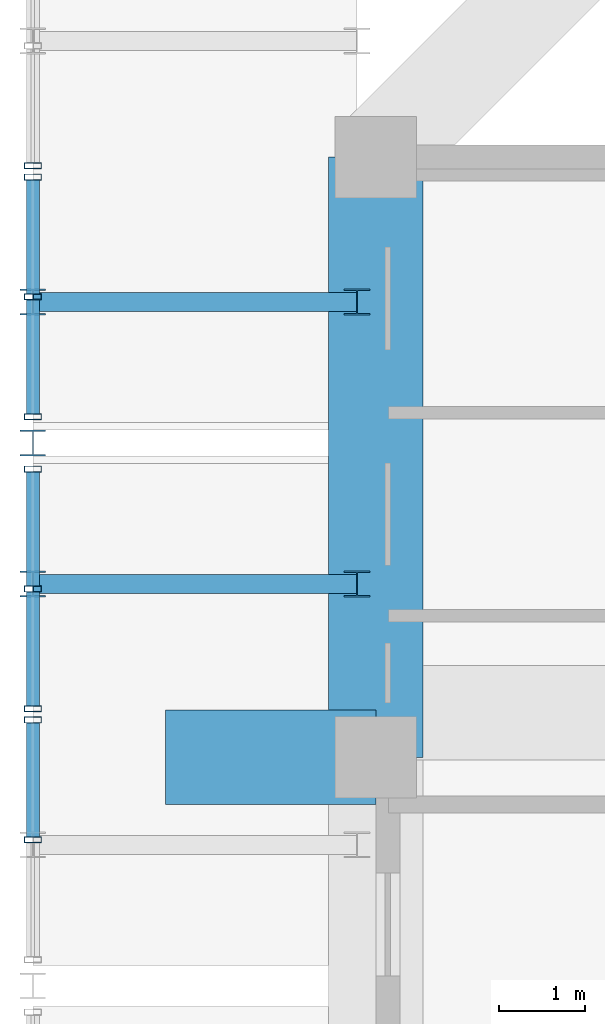
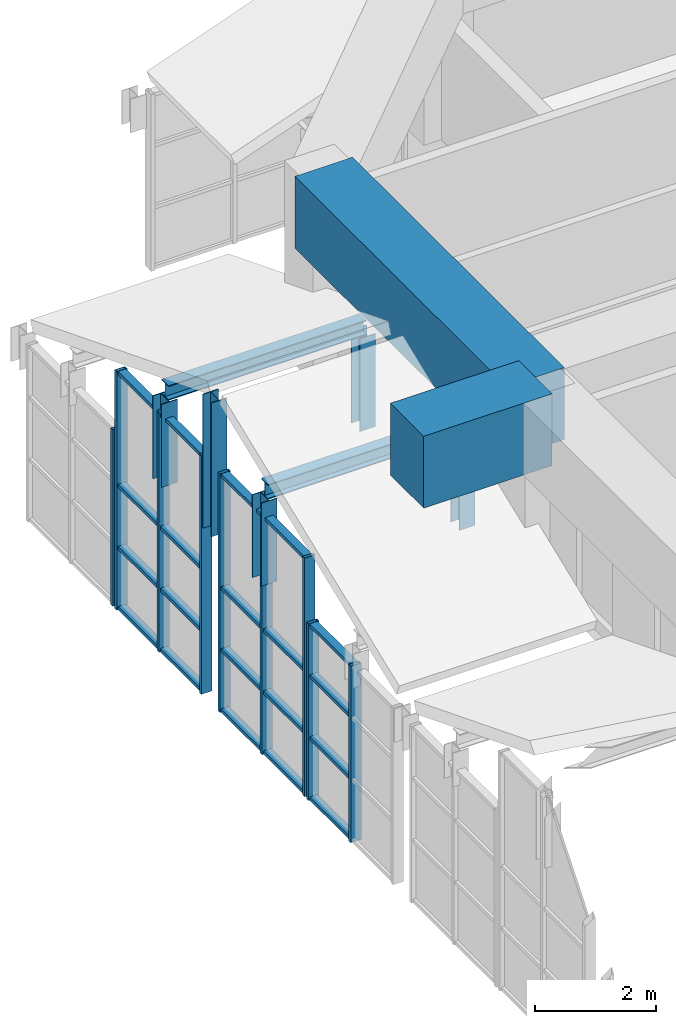
# One storey, part 19 of 45: 36 members, 2 beams, 4 elements without a shape of their own.
"""IFC4 building model written with IfcOpenShell, lengths in metres."""

import ifcopenshell
import ifcopenshell.guid

model = None  # the IFC model being written
_history = None  # IfcOwnerHistory: only IFC2X3 demands one
_inside = {}  # id of a spatial element -> (the spatial element, [elements in it])
_under = {}  # id of a project, library or spatial element -> (it, [spatial elements below it])
_declared = {}  # id of a project -> (the project, [libraries it declares])
_typed = {}  # id of a type object -> (the type object, [elements of that type])
_made_of = {}  # id of a material, layer set ... -> (it, [elements and type objects made of it])


def new_model(schema):
    """Start an empty IFC model of exactly this schema.

    Asked for "IFC4X3", IfcOpenShell would pick the latest addendum, in which some entities
    have other attributes; the version numbers below select the first issue.
    IFC2X3 requires an IfcOwnerHistory on every rooted entity: one is made here for all.
    """
    global model, _history
    if schema == "IFC4X3":
        model = ifcopenshell.file(schema_version=(4, 3, 0, 0))
    else:
        model = ifcopenshell.file(schema=schema)
    _inside.clear()
    _under.clear()
    _declared.clear()
    _typed.clear()
    _made_of.clear()
    _history = None
    if model.schema == "IFC2X3":
        org = make("IfcOrganization", Name="unknown")
        user = make(
            "IfcPersonAndOrganization",
            ThePerson=make("IfcPerson", FamilyName="unknown"),
            TheOrganization=org,
        )
        app = make(
            "IfcApplication",
            ApplicationDeveloper=org,
            Version="unknown",
            ApplicationFullName="unknown",
            ApplicationIdentifier="unknown",
        )
        _history = make(
            "IfcOwnerHistory",
            OwningUser=user,
            OwningApplication=app,
            ChangeAction="ADDED",
            CreationDate=0,
        )
    return model


def make(cls, **values):
    """One entity of the class cls with the attributes given. An attribute that is None is left unset."""
    return model.create_entity(
        cls, **{name: value for name, value in values.items() if value is not None}
    )


def rooted(cls, **values):
    """An entity with a GlobalId (a new one), such as an element, a storey or a relation."""
    return make(cls, GlobalId=ifcopenshell.guid.new(), OwnerHistory=_history, **values)


def si_unit(unit_type, name, prefix=None):
    """IfcSIUnit, for example si_unit("LENGTHUNIT", "METRE", prefix="MILLI")."""
    return make("IfcSIUnit", UnitType=unit_type, Prefix=prefix, Name=name)


def assignment(units):
    """IfcUnitAssignment: the units of a project."""
    return None if units is None else make("IfcUnitAssignment", Units=units)


def point(xyz):
    """IfcCartesianPoint."""
    return None if xyz is None else make("IfcCartesianPoint", Coordinates=xyz)


def direction(xyz):
    """IfcDirection."""
    return None if xyz is None else make("IfcDirection", DirectionRatios=xyz)


def frame(location, z_axis=None, x_axis=None):
    """IfcAxis2Placement3D, a coordinate frame: its origin and axes. An axis left out is left unset."""
    return make(
        "IfcAxis2Placement3D",
        Location=point(location),
        Axis=direction(z_axis),
        RefDirection=direction(x_axis),
    )


def frame_2d(location, x_axis=None):
    """IfcAxis2Placement2D, a coordinate frame in the plane: its origin and x axis."""
    return make(
        "IfcAxis2Placement2D", Location=point(location), RefDirection=direction(x_axis)
    )


def origin():
    """The frame at (0, 0, 0) with its axes left unset."""
    return frame((0.0, 0.0, 0.0))


def origin_2d():
    """The frame at (0, 0) in the plane with its x axis left unset."""
    return frame_2d((0.0, 0.0))


def place(relative_to, where):
    """IfcLocalPlacement: puts the frame where relative to a parent placement (None: the world)."""
    return make(
        "IfcLocalPlacement", PlacementRelTo=relative_to, RelativePlacement=where
    )


def context(
    kind, dimensions, precision=None, world=None, true_north=None, identifier=None
):
    """IfcGeometricRepresentationContext, for example the 3D "Model" context."""
    return make(
        "IfcGeometricRepresentationContext",
        ContextIdentifier=identifier,
        ContextType=kind,
        CoordinateSpaceDimension=dimensions,
        Precision=precision,
        WorldCoordinateSystem=world,
        TrueNorth=true_north,
    )


def subcontext(parent, identifier, kind, view, scale=None):
    """IfcGeometricRepresentationSubContext, for example "Body" below "Model"."""
    return make(
        "IfcGeometricRepresentationSubContext",
        ContextIdentifier=identifier,
        ContextType=kind,
        ParentContext=parent,
        TargetScale=scale,
        TargetView=view,
    )


def project(units=None, contexts=None):
    """IfcProject with its units and contexts."""
    return rooted(
        "IfcProject",
        Name="project",
        RepresentationContexts=contexts,
        UnitsInContext=assignment(units),
    )


def spatial(cls, under=None, at=None, **own):
    """A site, building, storey or space (cls), placed at a placement, below another one or the project."""
    s = rooted(cls, ObjectPlacement=at, **own)
    if under is not None:
        _under.setdefault(under.id(), (under, []))[1].append(s)
    return s


def profile(cls, at=None, kind="AREA", **sizes):
    """A parametric profile (cls). Its sizes go by their IFC names, for example OverallWidth=200.0."""
    return make(cls, ProfileType=kind, Position=at, **sizes)


def rectangle(**sizes):
    """IfcRectangleProfileDef."""
    return profile("IfcRectangleProfileDef", **sizes)


def hollow_rectangle(**sizes):
    """IfcRectangleHollowProfileDef."""
    return profile("IfcRectangleHollowProfileDef", **sizes)


def i_section(**sizes):
    """IfcIShapeProfileDef."""
    return profile("IfcIShapeProfileDef", **sizes)


def extrude(swept, where, along, depth):
    """IfcExtrudedAreaSolid: the profile swept, set in the frame where, extruded along a direction by depth."""
    return make(
        "IfcExtrudedAreaSolid",
        SweptArea=swept,
        Position=where,
        ExtrudedDirection=direction(along),
        Depth=depth,
    )


def shape(context_of_items, identifier, shape_type, items):
    """IfcShapeRepresentation: the items that make up one representation, for example the "Body"."""
    return make(
        "IfcShapeRepresentation",
        ContextOfItems=context_of_items,
        RepresentationIdentifier=identifier,
        RepresentationType=shape_type,
        Items=items,
    )


def source(mapping_origin, context_of_items, identifier, shape_type, items):
    """IfcRepresentationMap: a shape defined once, which mapped items show again and again."""
    return make(
        "IfcRepresentationMap",
        MappingOrigin=mapping_origin,
        MappedRepresentation=shape(context_of_items, identifier, shape_type, items),
    )


def transform(
    local_origin,
    x_axis=None,
    y_axis=None,
    z_axis=None,
    scale=None,
    scale2=None,
    scale3=None,
    uniform=True,
):
    """IfcCartesianTransformationOperator3D, or its non-uniform kind. x_axis, y_axis, z_axis: its Axis1, 2, 3."""
    if uniform:
        return make(
            "IfcCartesianTransformationOperator3D",
            Axis1=direction(x_axis),
            Axis2=direction(y_axis),
            LocalOrigin=point(local_origin),
            Scale=scale,
            Axis3=direction(z_axis),
        )
    return make(
        "IfcCartesianTransformationOperator3DnonUniform",
        Axis1=direction(x_axis),
        Axis2=direction(y_axis),
        LocalOrigin=point(local_origin),
        Scale=scale,
        Axis3=direction(z_axis),
        Scale2=scale2,
        Scale3=scale3,
    )


def mapped(mapping_source, mapping_target):
    """IfcMappedItem: shows the shape of a source again, moved by a transform."""
    return make(
        "IfcMappedItem", MappingSource=mapping_source, MappingTarget=mapping_target
    )


def material(Name=None, Category=None):
    """IfcMaterial."""
    return make("IfcMaterial", Name=Name, Category=Category)


def layer(
    of_material, thickness, ventilated=None, Name=None, Category=None, Priority=None
):
    """IfcMaterialLayer: one layer of a wall or slab, of a material (None: an air gap)."""
    return make(
        "IfcMaterialLayer",
        Material=of_material,
        LayerThickness=thickness,
        IsVentilated=ventilated,
        Name=Name,
        Category=Category,
        Priority=Priority,
    )


def layer_set(layers, Name=None):
    """IfcMaterialLayerSet."""
    return make("IfcMaterialLayerSet", MaterialLayers=layers, LayerSetName=Name)


def material_profile(
    of_material, cross_section, Name=None, Category=None, Priority=None
):
    """IfcMaterialProfile: a cross section and its material."""
    return make(
        "IfcMaterialProfile",
        Name=Name,
        Material=of_material,
        Profile=cross_section,
        Priority=Priority,
        Category=Category,
    )


def profile_set(profiles, Name=None, composite=None):
    """IfcMaterialProfileSet."""
    return make(
        "IfcMaterialProfileSet",
        Name=Name,
        MaterialProfiles=profiles,
        CompositeProfile=composite,
    )


def made_of(thing, what):
    """Note that an element or type object is made of a material, layer set ...; save() writes the relation."""
    if what is not None:
        _made_of.setdefault(what.id(), (what, []))[1].append(thing)
    return thing


def type_object(cls, material=None, **own):
    """A type object (cls), such as IfcWallType, which elements share."""
    return made_of(rooted(cls, **own), material)


def element(
    cls,
    number,
    at=None,
    inside=None,
    cuts=None,
    type_object=None,
    material=None,
    context=None,
    identifier="Body",
    shape_type=None,
    held_by="IfcProductDefinitionShape",
    body=None,
    shapes=None,
    **own,
):
    """One element of the class cls, such as IfcWall. Its Tag is "e" and its number.

    at: its placement. inside: the storey or other place that contains it. cuts: it is an
    opening in that element (IfcRelVoidsElement). A single representation is given by context,
    identifier, shape_type and body (its items); several are given by shapes. held_by: the class
    of the entity that holds the representations. save() writes the other relations.
    """
    e = rooted(cls, Tag="e%d" % number, ObjectPlacement=at, **own)
    if body is not None:
        shapes = [shape(context, identifier, shape_type, body)]
    if shapes is not None:
        e.Representation = make(held_by, Representations=shapes)
    if inside is not None:
        _inside.setdefault(inside.id(), (inside, []))[1].append(e)
    if cuts is not None:
        rooted(
            "IfcRelVoidsElement", RelatingBuildingElement=cuts, RelatedOpeningElement=e
        )
    if type_object is not None:
        _typed.setdefault(type_object.id(), (type_object, []))[1].append(e)
    return made_of(e, material)


def aggregate(whole, parts):
    """IfcRelAggregates: a whole, such as a stair, and the parts it consists of."""
    return rooted("IfcRelAggregates", RelatingObject=whole, RelatedObjects=parts)


def save(model, path):
    """Write the relations noted so far, then the file.

    IfcRelAggregates (storeys below a building ...), IfcRelContainedInSpatialStructure (elements
    in a storey), IfcRelDefinesByType, IfcRelAssociatesMaterial and IfcRelDeclares: one each for
    every whole, place, type object, material and project.
    """
    for whole, parts in _under.values():
        aggregate(whole, parts)
    for where, things in _inside.values():
        rooted(
            "IfcRelContainedInSpatialStructure",
            RelatedElements=things,
            RelatingStructure=where,
        )
    for kind, things in _typed.values():
        rooted("IfcRelDefinesByType", RelatedObjects=things, RelatingType=kind)
    for what, things in _made_of.values():
        rooted("IfcRelAssociatesMaterial", RelatedObjects=things, RelatingMaterial=what)
    for by, libraries in _declared.values():
        rooted("IfcRelDeclares", RelatingContext=by, RelatedDefinitions=libraries)
    model.write(path)


model = new_model("IFC4")

# Units and contexts
model_context = context("Model", 3, precision=1e-05, world=origin(), true_north=direction((0.0, 1.0)))
body_context = subcontext(model_context, "Body", "Model", "MODEL_VIEW")
ifc_project = project(units=[si_unit("LENGTHUNIT", "METRE"), si_unit("AREAUNIT", "SQUARE_METRE"), si_unit("VOLUMEUNIT", "CUBIC_METRE"), si_unit("PLANEANGLEUNIT", "RADIAN"), si_unit("MASSUNIT", "GRAM", prefix="KILO")], contexts=[model_context])

# Site, building, storey
site_placement = place(None, origin())
site = spatial("IfcSite", under=ifc_project, at=site_placement, CompositionType="ELEMENT")
building_placement = place(site_placement, origin())
building = spatial("IfcBuilding", under=site, at=building_placement, Name="Saelheon Loggia Tower", CompositionType="ELEMENT")
storey_placement = place(building_placement, frame((0.0, 0.0, 152.199951171875)))
storey = spatial("IfcBuildingStorey", under=building, at=storey_placement, Name="L48", CompositionType="ELEMENT", Elevation=152.199951171875)

# Members
ifc_material_1 = material(Name="Steel SM355", Category="steel")
ifc_material_profile_1 = material_profile(ifc_material_1, i_section(OverallWidth=0.300048828125, OverallDepth=0.300048828125, WebThickness=0.010009765625, FlangeThickness=0.014892578125, at=origin_2d()), Name="H-300x300x10x15")
ifc_profile_set_1 = profile_set([ifc_material_profile_1], Name="Steel SM355")
member_type_1 = type_object("IfcMemberType", Name="WaveCrest_Post_H300", PredefinedType="POST", material=ifc_profile_set_1)
shared_shape_1 = source(origin(), body_context, "Body", "SweptSolid", [
    extrude(i_section(OverallWidth=0.300048828125, OverallDepth=0.300048828125, WebThickness=0.010009765625, FlangeThickness=0.014892578125, at=origin_2d()), origin(), (0.0, 0.0, 1.0), 2.699951171875),
])
member_1_placement = place(storey_placement, frame((12.0, 39.666748046875, 0.0), z_axis=(0.0, 0.0, 1.0), x_axis=(1.0, 0.0, 0.0)))
element("IfcMember", 1, at=member_1_placement, inside=storey, type_object=member_type_1, Name="Tier 1 Wave Crest Upper Post W 05", PredefinedType="POST", context=body_context, shape_type="MappedRepresentation", body=[
    mapped(shared_shape_1, transform((0.0, 0.0, 0.0), scale=1.0)),
])
ifc_material_profile_2 = material_profile(ifc_material_1, i_section(OverallWidth=0.219970703125, OverallDepth=0.300048828125, WebThickness=0.011962890625, FlangeThickness=0.02001953125, at=origin_2d()), Name="H-300x220x12x20")
ifc_profile_set_2 = profile_set([ifc_material_profile_2], Name="Steel SM355")
member_type_2 = type_object("IfcMemberType", Name="Roof_ShoulderPurlin_RHS300", PredefinedType="PURLIN", material=ifc_profile_set_2)
shared_shape_2 = source(origin(), body_context, "Body", "SweptSolid", [
    extrude(i_section(OverallWidth=0.219970703125, OverallDepth=0.300048828125, WebThickness=0.011962890625, FlangeThickness=0.02001953125, at=origin_2d()), origin(), (0.0, 0.0, 1.0), 3.780029296875),
])
for number, where, z_axis, x_axis, name in (
    (2, (12.0, 38.02197265625, 1.823486328125), (1.0, 0.0, 0.0), (0.0, 1.0, 0.0), "Tier 1 Wave Crest Rafter W 05 B"),
    (3, (12.0, 41.3115234375, 1.823486328125), (1.0, 0.0, 0.0), (0.0, 1.0, 0.0), "Tier 1 Wave Crest Rafter W 06 A"),
):
    element("IfcMember", number, at=place(storey_placement, frame(where, z_axis=z_axis, x_axis=x_axis)), inside=storey, type_object=member_type_2, Name=name, PredefinedType="PURLIN", context=body_context, shape_type="MappedRepresentation", body=[
        mapped(shared_shape_2, transform((0.0, 0.0, 0.0), scale=1.0)),
    ])
shared_shape_3 = source(origin(), body_context, "Body", "SweptSolid", [
    extrude(i_section(OverallWidth=0.300048828125, OverallDepth=0.300048828125, WebThickness=0.010009765625, FlangeThickness=0.014892578125, at=origin_2d()), origin(), (0.0, 0.0, 1.0), 1.673583984375),
])
for number, where, z_axis, x_axis, name in (
    (4, (12.0, 38.02197265625, 0.0), (0.0, 0.0, 1.0), (1.0, 0.0, 0.0), "Tier 1 Rafter Outer Upper Post W 05"),
    (5, (12.0, 41.3115234375, 0.0), (0.0, 0.0, 1.0), (1.0, 0.0, 0.0), "Tier 1 Rafter Outer Upper Post W 06"),
):
    element("IfcMember", number, at=place(storey_placement, frame(where, z_axis=z_axis, x_axis=x_axis)), inside=storey, type_object=member_type_1, Name=name, PredefinedType="POST", context=body_context, shape_type="MappedRepresentation", body=[
        mapped(shared_shape_3, transform((0.0, 0.0, 0.0), scale=1.0)),
    ])
ifc_material_profile_3 = material_profile(ifc_material_1, i_section(OverallWidth=0.300048828125, OverallDepth=0.300048828125, WebThickness=0.010009765625, FlangeThickness=0.014892578125, at=origin_2d()), Name="H-300x300x10x15")
ifc_profile_set_3 = profile_set([ifc_material_profile_3], Name="Steel SM355")
member_type_3 = type_object("IfcMemberType", Name="Belt_Post_H300", PredefinedType="POST", material=ifc_profile_set_3)
shared_shape_4 = source(origin(), body_context, "Body", "SweptSolid", [
    extrude(i_section(OverallWidth=0.300048828125, OverallDepth=0.300048828125, WebThickness=0.010009765625, FlangeThickness=0.014892578125, at=origin_2d()), origin(), (0.0, 0.0, 1.0), 1.87353515625),
])
for number, where, z_axis, x_axis, name in (
    (6, (15.780029296875, 38.02197265625, -0.199951171875), (0.0, 0.0, 1.0), (1.0, 0.0, 0.0), "Tier 1 Rafter Inner Post W 05"),
    (7, (15.780029296875, 41.3115234375, -0.199951171875), (0.0, 0.0, 1.0), (1.0, 0.0, 0.0), "Tier 1 Rafter Inner Post W 06"),
):
    element("IfcMember", number, at=place(storey_placement, frame(where, z_axis=z_axis, x_axis=x_axis)), inside=storey, type_object=member_type_3, Name=name, PredefinedType="POST", context=body_context, shape_type="MappedRepresentation", body=[
        mapped(shared_shape_4, transform((0.0, 0.0, 0.0), scale=1.0)),
    ])

# Beams
ifc_material_2 = material(Name="Concrete C50/60", Category="concrete")
ifc_material_profile_4 = material_profile(ifc_material_2, rectangle(XDim=1.10009765625, YDim=1.449951171875, at=origin_2d()), Name="RC-1100x1450")
ifc_profile_set_4 = profile_set([ifc_material_profile_4], Name="Concrete C50/60")
beam_type = type_object("IfcBeamType", Name="Beam_PerimTransfer_RC1100x1450", PredefinedType="BEAM", material=ifc_profile_set_4)
shared_shape_5 = source(origin(), body_context, "Body", "SweptSolid", [
    extrude(rectangle(XDim=1.10009765625, YDim=1.449951171875, at=origin_2d()), origin(), (0.0, 0.0, 1.0), 7.0),
])
beam_1_placement = place(storey_placement, frame((16.0, 43.0, 3.175048828125), z_axis=(0.0, -1.0, 0.0), x_axis=(1.0, 0.0, 0.0)))
element("IfcBeam", 8, at=beam_1_placement, inside=storey, type_object=beam_type, Name="L48 Perimeter Frame Girder 13", PredefinedType="BEAM", context=body_context, shape_type="MappedRepresentation", body=[
    mapped(shared_shape_5, transform((0.0, 0.0, 0.0), scale=1.0)),
])
shared_shape_6 = source(origin(), body_context, "Body", "SweptSolid", [
    extrude(rectangle(XDim=1.10009765625, YDim=1.449951171875, at=origin_2d()), origin(), (0.0, 0.0, 1.0), 2.449951171875),
])
beam_2_placement = place(storey_placement, frame((16.0, 36.0, 3.175048828125), z_axis=(-1.0, 0.0, 0.0), x_axis=(0.0, -1.0, 0.0)))
element("IfcBeam", 9, at=beam_2_placement, inside=storey, type_object=beam_type, Name="L48 Loggia Transfer Tie Beam LP-W2", PredefinedType="BEAM", context=body_context, shape_type="MappedRepresentation", body=[
    mapped(shared_shape_6, transform((0.0, 0.0, 0.0), scale=1.0)),
])

# Curtain wall, members
ifc_material_3 = material(Name="Bronze-Anodised Aluminium and Fritted Ceramic Screen", Category="aluminium")
ifc_layer = layer(ifc_material_3, 0.219970703125)
ifc_layer_set = layer_set([ifc_layer], Name="Bronze-Anodised Aluminium and Fritted Ceramic Screen")
curtain_wall_type = type_object("IfcCurtainWallType", Name="CW_CrownScreen", PredefinedType="NOTDEFINED", material=ifc_layer_set)
curtain_wall_1_placement = place(storey_placement, origin())
curtain_wall_1 = element("IfcCurtainWall", 10, at=curtain_wall_1_placement, inside=storey, type_object=curtain_wall_type, Name="Tier 1 Wave Crest Glazing W 05-1", PredefinedType="NOTDEFINED")
ifc_material_4 = material(Name="Bronze-Anodised Aluminium 6063-T6", Category="aluminium")
ifc_material_profile_5 = material_profile(ifc_material_4, hollow_rectangle(XDim=0.070068359375, YDim=0.199951171875, WallThickness=0.0048828125, at=origin_2d()), Name="RHS-200x70x5")
ifc_profile_set_5 = profile_set([ifc_material_profile_5], Name="Bronze-Anodised Aluminium 6063-T6")
member_type_4 = type_object("IfcMemberType", Name="CW_CrownScreen_Mullion", PredefinedType="MULLION", material=ifc_profile_set_5)
shared_shape_7 = source(origin(), body_context, "Body", "SweptSolid", [
    extrude(hollow_rectangle(XDim=0.070068359375, YDim=0.199951171875, WallThickness=0.0048828125, at=origin_2d()), origin(), (0.0, 0.0, 1.0), 3.56005859375),
])
member_2_placement = place(storey_placement, frame((12.0, 35.03662109375, -3.449951171875), z_axis=(0.0, 0.0, 1.0), x_axis=(0.0, 1.0, 0.0)))
member_2 = element("IfcMember", 11, at=member_2_placement, type_object=member_type_4, Name="CW6 mullion 2", PredefinedType="MULLION", context=body_context, shape_type="MappedRepresentation", body=[
    mapped(shared_shape_7, transform((0.0, 0.0, 0.0), scale=1.0)),
])
member_3_placement = place(storey_placement, frame((12.0, 36.43505859375, -3.449951171875), z_axis=(0.0, 0.0, 1.0), x_axis=(0.0, 1.0, 0.0)))
member_3 = element("IfcMember", 12, at=member_3_placement, type_object=member_type_4, Name="CW6 mullion 3", PredefinedType="MULLION", context=body_context, shape_type="MappedRepresentation", body=[
    mapped(shared_shape_7, transform((0.0, 0.0, 0.0), scale=1.0)),
])

# Curtain wall, member
curtain_wall_2_placement = place(storey_placement, origin())
curtain_wall_2 = element("IfcCurtainWall", 13, at=curtain_wall_2_placement, inside=storey, type_object=curtain_wall_type, Name="Tier 1 Wave Crest Glazing W 06-2", PredefinedType="NOTDEFINED")
member_4_placement = place(storey_placement, frame((12.0, 42.898193359375, -3.449951171875), z_axis=(0.0, 0.0, 1.0), x_axis=(0.0, 1.0, 0.0)))
member_4 = element("IfcMember", 14, at=member_4_placement, type_object=member_type_4, Name="CW6 mullion 1", PredefinedType="MULLION", context=body_context, shape_type="MappedRepresentation", body=[
    mapped(shared_shape_7, transform((0.0, 0.0, 0.0), scale=1.0)),
])
aggregate(curtain_wall_2, [member_4])

# Member
ifc_material_profile_6 = material_profile(ifc_material_4, hollow_rectangle(XDim=0.070068359375, YDim=0.14990234375, WallThickness=0.0048828125, at=origin_2d()), Name="RHS-150x70x5")
ifc_profile_set_6 = profile_set([ifc_material_profile_6], Name="Bronze-Anodised Aluminium 6063-T6")
member_type_5 = type_object("IfcMemberType", Name="CW_CrownScreen_Transom", PredefinedType="USERDEFINED", material=ifc_profile_set_6)
shared_shape_8 = source(origin(), body_context, "Body", "SweptSolid", [
    extrude(hollow_rectangle(XDim=0.070068359375, YDim=0.14990234375, WallThickness=0.0048828125, at=origin_2d()), origin(), (0.0, 0.0, 1.0), 1.328369140625),
])
member_5_placement = place(storey_placement, frame((12.0, 35.071533203125, -3.4150390625), z_axis=(0.0, 1.0, 0.0), x_axis=(0.0, 0.0, 1.0)))
member_5 = element("IfcMember", 15, at=member_5_placement, type_object=member_type_5, Name="CW6 transom 2.1", ObjectType="TRANSOM", PredefinedType="USERDEFINED", context=body_context, shape_type="MappedRepresentation", body=[
    mapped(shared_shape_8, transform((0.0, 0.0, 0.0), scale=1.0)),
])

member_6_placement = place(storey_placement, frame((12.0, 35.071533203125, -2.199951171875), z_axis=(0.0, 1.0, 0.0), x_axis=(0.0, 0.0, 1.0)))
member_6 = element("IfcMember", 16, at=member_6_placement, type_object=member_type_5, Name="CW6 transom 2.2", ObjectType="TRANSOM", PredefinedType="USERDEFINED", context=body_context, shape_type="MappedRepresentation", body=[
    mapped(shared_shape_8, transform((0.0, 0.0, 0.0), scale=1.0)),
])

member_7_placement = place(storey_placement, frame((12.0, 35.071533203125, -0.949951171875), z_axis=(0.0, 1.0, 0.0), x_axis=(0.0, 0.0, 1.0)))
member_7 = element("IfcMember", 17, at=member_7_placement, type_object=member_type_5, Name="CW6 transom 2.3", ObjectType="TRANSOM", PredefinedType="USERDEFINED", context=body_context, shape_type="MappedRepresentation", body=[
    mapped(shared_shape_8, transform((0.0, 0.0, 0.0), scale=1.0)),
])

member_8_placement = place(storey_placement, frame((12.0, 35.071533203125, 0.074951171875), z_axis=(0.0, 1.0, 0.0), x_axis=(0.0, 0.0, 1.0)))
member_8 = element("IfcMember", 18, at=member_8_placement, type_object=member_type_5, Name="CW6 transom 2.4", ObjectType="TRANSOM", PredefinedType="USERDEFINED", context=body_context, shape_type="MappedRepresentation", body=[
    mapped(shared_shape_8, transform((0.0, 0.0, 0.0), scale=1.0)),
])

aggregate(curtain_wall_1, [member_2, member_3, member_5, member_6, member_7, member_8])

# Curtain wall, members
curtain_wall_3_placement = place(storey_placement, origin())
curtain_wall_3 = element("IfcCurtainWall", 19, at=curtain_wall_3_placement, inside=storey, type_object=curtain_wall_type, Name="Tier 1 Wave Crest Glazing W 05-2", PredefinedType="NOTDEFINED")
member_9_placement = place(storey_placement, frame((12.0, 36.60009765625, -3.4150390625), z_axis=(0.0, 1.0, 0.0), x_axis=(0.0, 0.0, 1.0)))
member_9 = element("IfcMember", 20, at=member_9_placement, type_object=member_type_5, Name="CW6 transom 1.1", ObjectType="TRANSOM", PredefinedType="USERDEFINED", context=body_context, shape_type="MappedRepresentation", body=[
    mapped(shared_shape_8, transform((0.0, 0.0, 0.0), scale=1.0)),
])
member_10_placement = place(storey_placement, frame((12.0, 36.60009765625, -2.199951171875), z_axis=(0.0, 1.0, 0.0), x_axis=(0.0, 0.0, 1.0)))
member_10 = element("IfcMember", 21, at=member_10_placement, type_object=member_type_5, Name="CW6 transom 1.2", ObjectType="TRANSOM", PredefinedType="USERDEFINED", context=body_context, shape_type="MappedRepresentation", body=[
    mapped(shared_shape_8, transform((0.0, 0.0, 0.0), scale=1.0)),
])
member_11_placement = place(storey_placement, frame((12.0, 36.60009765625, -0.949951171875), z_axis=(0.0, 1.0, 0.0), x_axis=(0.0, 0.0, 1.0)))
member_11 = element("IfcMember", 22, at=member_11_placement, type_object=member_type_5, Name="CW6 transom 1.3", ObjectType="TRANSOM", PredefinedType="USERDEFINED", context=body_context, shape_type="MappedRepresentation", body=[
    mapped(shared_shape_8, transform((0.0, 0.0, 0.0), scale=1.0)),
])
member_12_placement = place(storey_placement, frame((12.0, 36.60009765625, 1.324951171875), z_axis=(0.0, 1.0, 0.0), x_axis=(0.0, 0.0, 1.0)))
member_12 = element("IfcMember", 23, at=member_12_placement, type_object=member_type_5, Name="CW6 transom 1.4", ObjectType="TRANSOM", PredefinedType="USERDEFINED", context=body_context, shape_type="MappedRepresentation", body=[
    mapped(shared_shape_8, transform((0.0, 0.0, 0.0), scale=1.0)),
])
member_13_placement = place(storey_placement, frame((12.0, 37.998291015625, -3.4150390625), z_axis=(0.0, 1.0, 0.0), x_axis=(0.0, 0.0, 1.0)))
member_13 = element("IfcMember", 24, at=member_13_placement, type_object=member_type_5, Name="CW6 transom 2.1", ObjectType="TRANSOM", PredefinedType="USERDEFINED", context=body_context, shape_type="MappedRepresentation", body=[
    mapped(shared_shape_8, transform((0.0, 0.0, 0.0), scale=1.0)),
])
member_14_placement = place(storey_placement, frame((12.0, 37.998291015625, -2.199951171875), z_axis=(0.0, 1.0, 0.0), x_axis=(0.0, 0.0, 1.0)))
member_14 = element("IfcMember", 25, at=member_14_placement, type_object=member_type_5, Name="CW6 transom 2.2", ObjectType="TRANSOM", PredefinedType="USERDEFINED", context=body_context, shape_type="MappedRepresentation", body=[
    mapped(shared_shape_8, transform((0.0, 0.0, 0.0), scale=1.0)),
])
member_15_placement = place(storey_placement, frame((12.0, 37.998291015625, -0.949951171875), z_axis=(0.0, 1.0, 0.0), x_axis=(0.0, 0.0, 1.0)))
member_15 = element("IfcMember", 26, at=member_15_placement, type_object=member_type_5, Name="CW6 transom 2.3", ObjectType="TRANSOM", PredefinedType="USERDEFINED", context=body_context, shape_type="MappedRepresentation", body=[
    mapped(shared_shape_8, transform((0.0, 0.0, 0.0), scale=1.0)),
])
member_16_placement = place(storey_placement, frame((12.0, 37.998291015625, 1.324951171875), z_axis=(0.0, 1.0, 0.0), x_axis=(0.0, 0.0, 1.0)))
member_16 = element("IfcMember", 27, at=member_16_placement, type_object=member_type_5, Name="CW6 transom 2.4", ObjectType="TRANSOM", PredefinedType="USERDEFINED", context=body_context, shape_type="MappedRepresentation", body=[
    mapped(shared_shape_8, transform((0.0, 0.0, 0.0), scale=1.0)),
])

curtain_wall_4_placement = place(storey_placement, origin())
curtain_wall_4 = element("IfcCurtainWall", 28, at=curtain_wall_4_placement, inside=storey, type_object=curtain_wall_type, Name="Tier 1 Wave Crest Glazing W 06-1", PredefinedType="NOTDEFINED")
member_17_placement = place(storey_placement, frame((12.0, 40.006591796875, -3.4150390625), z_axis=(0.0, 1.0, 0.0), x_axis=(0.0, 0.0, 1.0)))
member_17 = element("IfcMember", 29, at=member_17_placement, type_object=member_type_5, Name="CW6 transom 1.1", ObjectType="TRANSOM", PredefinedType="USERDEFINED", context=body_context, shape_type="MappedRepresentation", body=[
    mapped(shared_shape_8, transform((0.0, 0.0, 0.0), scale=1.0)),
])
member_18_placement = place(storey_placement, frame((12.0, 40.006591796875, -2.199951171875), z_axis=(0.0, 1.0, 0.0), x_axis=(0.0, 0.0, 1.0)))
member_18 = element("IfcMember", 30, at=member_18_placement, type_object=member_type_5, Name="CW6 transom 1.2", ObjectType="TRANSOM", PredefinedType="USERDEFINED", context=body_context, shape_type="MappedRepresentation", body=[
    mapped(shared_shape_8, transform((0.0, 0.0, 0.0), scale=1.0)),
])
member_19_placement = place(storey_placement, frame((12.0, 40.006591796875, -0.949951171875), z_axis=(0.0, 1.0, 0.0), x_axis=(0.0, 0.0, 1.0)))
member_19 = element("IfcMember", 31, at=member_19_placement, type_object=member_type_5, Name="CW6 transom 1.3", ObjectType="TRANSOM", PredefinedType="USERDEFINED", context=body_context, shape_type="MappedRepresentation", body=[
    mapped(shared_shape_8, transform((0.0, 0.0, 0.0), scale=1.0)),
])
member_20_placement = place(storey_placement, frame((12.0, 40.006591796875, 1.324951171875), z_axis=(0.0, 1.0, 0.0), x_axis=(0.0, 0.0, 1.0)))
member_20 = element("IfcMember", 32, at=member_20_placement, type_object=member_type_5, Name="CW6 transom 1.4", ObjectType="TRANSOM", PredefinedType="USERDEFINED", context=body_context, shape_type="MappedRepresentation", body=[
    mapped(shared_shape_8, transform((0.0, 0.0, 0.0), scale=1.0)),
])
member_21_placement = place(storey_placement, frame((12.0, 41.405029296875, -3.4150390625), z_axis=(0.0, 1.0, 0.0), x_axis=(0.0, 0.0, 1.0)))
member_21 = element("IfcMember", 33, at=member_21_placement, type_object=member_type_5, Name="CW6 transom 2.1", ObjectType="TRANSOM", PredefinedType="USERDEFINED", context=body_context, shape_type="MappedRepresentation", body=[
    mapped(shared_shape_8, transform((0.0, 0.0, 0.0), scale=1.0)),
])
member_22_placement = place(storey_placement, frame((12.0, 41.405029296875, -2.199951171875), z_axis=(0.0, 1.0, 0.0), x_axis=(0.0, 0.0, 1.0)))
member_22 = element("IfcMember", 34, at=member_22_placement, type_object=member_type_5, Name="CW6 transom 2.2", ObjectType="TRANSOM", PredefinedType="USERDEFINED", context=body_context, shape_type="MappedRepresentation", body=[
    mapped(shared_shape_8, transform((0.0, 0.0, 0.0), scale=1.0)),
])
member_23_placement = place(storey_placement, frame((12.0, 41.405029296875, -0.949951171875), z_axis=(0.0, 1.0, 0.0), x_axis=(0.0, 0.0, 1.0)))
member_23 = element("IfcMember", 35, at=member_23_placement, type_object=member_type_5, Name="CW6 transom 2.3", ObjectType="TRANSOM", PredefinedType="USERDEFINED", context=body_context, shape_type="MappedRepresentation", body=[
    mapped(shared_shape_8, transform((0.0, 0.0, 0.0), scale=1.0)),
])
member_24_placement = place(storey_placement, frame((12.0, 41.405029296875, 1.324951171875), z_axis=(0.0, 1.0, 0.0), x_axis=(0.0, 0.0, 1.0)))
member_24 = element("IfcMember", 36, at=member_24_placement, type_object=member_type_5, Name="CW6 transom 2.4", ObjectType="TRANSOM", PredefinedType="USERDEFINED", context=body_context, shape_type="MappedRepresentation", body=[
    mapped(shared_shape_8, transform((0.0, 0.0, 0.0), scale=1.0)),
])

# Member
shared_shape_9 = source(origin(), body_context, "Body", "SweptSolid", [
    extrude(hollow_rectangle(XDim=0.070068359375, YDim=0.199951171875, WallThickness=0.0048828125, at=origin_2d()), origin(), (0.0, 0.0, 1.0), 4.81005859375),
])
member_25_placement = place(storey_placement, frame((12.0, 36.56494140625, -3.449951171875), z_axis=(0.0, 0.0, 1.0), x_axis=(0.0, 1.0, 0.0)))
member_25 = element("IfcMember", 37, at=member_25_placement, type_object=member_type_4, Name="CW6 mullion 1", PredefinedType="MULLION", context=body_context, shape_type="MappedRepresentation", body=[
    mapped(shared_shape_9, transform((0.0, 0.0, 0.0), scale=1.0)),
])

member_26_placement = place(storey_placement, frame((12.0, 37.96337890625, -3.449951171875), z_axis=(0.0, 0.0, 1.0), x_axis=(0.0, 1.0, 0.0)))
member_26 = element("IfcMember", 38, at=member_26_placement, type_object=member_type_4, Name="CW6 mullion 2", PredefinedType="MULLION", context=body_context, shape_type="MappedRepresentation", body=[
    mapped(shared_shape_9, transform((0.0, 0.0, 0.0), scale=1.0)),
])

member_27_placement = place(storey_placement, frame((12.0, 39.36181640625, -3.449951171875), z_axis=(0.0, 0.0, 1.0), x_axis=(0.0, 1.0, 0.0)))
member_27 = element("IfcMember", 39, at=member_27_placement, type_object=member_type_4, Name="CW6 mullion 3", PredefinedType="MULLION", context=body_context, shape_type="MappedRepresentation", body=[
    mapped(shared_shape_9, transform((0.0, 0.0, 0.0), scale=1.0)),
])

aggregate(curtain_wall_3, [member_25, member_26, member_27, member_9, member_10, member_11, member_12, member_13, member_14, member_15, member_16])

member_28_placement = place(storey_placement, frame((12.0, 39.9716796875, -3.449951171875), z_axis=(0.0, 0.0, 1.0), x_axis=(0.0, 1.0, 0.0)))
member_28 = element("IfcMember", 40, at=member_28_placement, type_object=member_type_4, Name="CW6 mullion 1", PredefinedType="MULLION", context=body_context, shape_type="MappedRepresentation", body=[
    mapped(shared_shape_9, transform((0.0, 0.0, 0.0), scale=1.0)),
])

member_29_placement = place(storey_placement, frame((12.0, 41.3701171875, -3.449951171875), z_axis=(0.0, 0.0, 1.0), x_axis=(0.0, 1.0, 0.0)))
member_29 = element("IfcMember", 41, at=member_29_placement, type_object=member_type_4, Name="CW6 mullion 2", PredefinedType="MULLION", context=body_context, shape_type="MappedRepresentation", body=[
    mapped(shared_shape_9, transform((0.0, 0.0, 0.0), scale=1.0)),
])

member_30_placement = place(storey_placement, frame((12.0, 42.768310546875, -3.449951171875), z_axis=(0.0, 0.0, 1.0), x_axis=(0.0, 1.0, 0.0)))
member_30 = element("IfcMember", 42, at=member_30_placement, type_object=member_type_4, Name="CW6 mullion 3", PredefinedType="MULLION", context=body_context, shape_type="MappedRepresentation", body=[
    mapped(shared_shape_9, transform((0.0, 0.0, 0.0), scale=1.0)),
])

aggregate(curtain_wall_4, [member_28, member_29, member_30, member_17, member_18, member_19, member_20, member_21, member_22, member_23, member_24])

save(model, "model.ifc")
